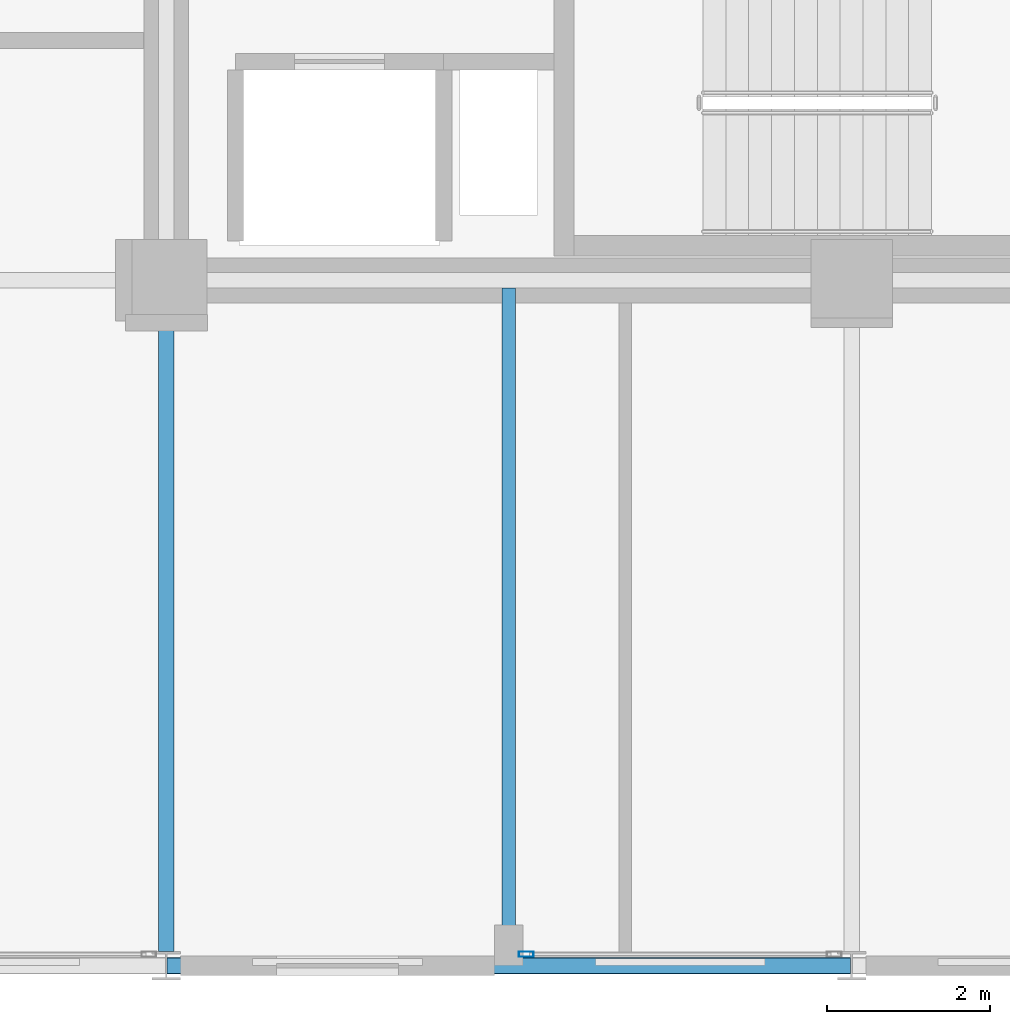
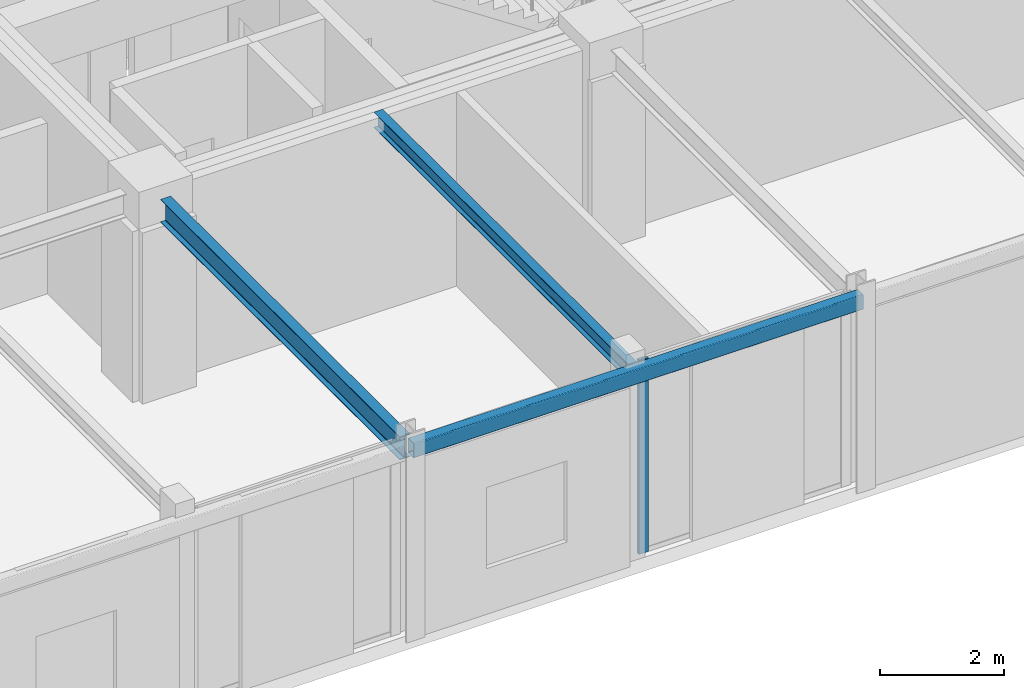
# One storey, part 7 of 29: 3 beams, 1 member, 1 element without a shape of its own.
"""IFC4 building model written with IfcOpenShell, lengths in metres."""

from ifc_helpers import new_model, si_unit, direction, frame, origin, origin_2d, place, context, subcontext, project, spatial, hollow_rectangle, i_section, extrude, material, layer, layer_set, material_profile, profile_set, type_object, element, aggregate, save


model = new_model("IFC4")

# Units and contexts
model_context = context("Model", 3, precision=1e-05, world=origin(), true_north=direction((0.0, 1.0)))
body_context = subcontext(model_context, "Body", "Model", "MODEL_VIEW")
ifc_project = project(units=[si_unit("LENGTHUNIT", "METRE"), si_unit("AREAUNIT", "SQUARE_METRE"), si_unit("VOLUMEUNIT", "CUBIC_METRE"), si_unit("PLANEANGLEUNIT", "RADIAN"), si_unit("MASSUNIT", "GRAM", prefix="KILO")], contexts=[model_context])

# Site, building, storey
site_placement = place(None, origin())
site = spatial("IfcSite", under=ifc_project, at=site_placement, CompositionType="ELEMENT")
building_placement = place(site_placement, origin())
building = spatial("IfcBuilding", under=site, at=building_placement, Name="Nerrivon Quay Data Exchange", CompositionType="ELEMENT")
storey_placement = place(building_placement, frame((0.0, 0.0, 196.0)))
storey = spatial("IfcBuildingStorey", under=building, at=storey_placement, Name="L46", CompositionType="ELEMENT", Elevation=196.0)

# Beams
ifc_material_1 = material(Name="Steel Grade 350", Category="steel")
ifc_material_profile_1 = material_profile(ifc_material_1, i_section(OverallWidth=0.18994140625, OverallDepth=0.4541015625, WebThickness=0.008544921875, FlangeThickness=0.0126953125, FilletRadius=0.011474609375, at=origin_2d()), Name="460UB67.1")
ifc_profile_set_1 = profile_set([ifc_material_profile_1], Name="Steel Grade 350")
beam_type_1 = type_object("IfcBeamType", Name="BM-G6-460UB67", PredefinedType="BEAM", material=ifc_profile_set_1)
beam_1_placement = place(storey_placement, frame((16.800048828125, 0.175048828125, 3.597900390625), z_axis=(0.0, 1.0, 0.0), x_axis=(-1.0, 0.0, 0.0)))
element("IfcBeam", 1, at=beam_1_placement, inside=storey, type_object=beam_type_1, Name="L46 NS Girder X=16.8 (0.0..8.4)", PredefinedType="BEAM", context=body_context, shape_type="SweptSolid", body=[
    extrude(i_section(OverallWidth=0.18994140625, OverallDepth=0.4541015625, WebThickness=0.008544921875, FlangeThickness=0.0126953125, FilletRadius=0.011474609375, at=origin_2d()), origin(), (0.0, 0.0, 1.0), 7.724853515625),
])
ifc_material_profile_2 = material_profile(ifc_material_1, i_section(OverallWidth=0.166015625, OverallDepth=0.306884765625, WebThickness=0.006591796875, FlangeThickness=0.01171875, FilletRadius=0.011474609375, at=origin_2d()), Name="310UB46.2")
ifc_profile_set_2 = profile_set([ifc_material_profile_2], Name="Steel Grade 350")
beam_type_2 = type_object("IfcBeamType", Name="BM-J5-310UB46", PredefinedType="JOIST", material=ifc_profile_set_2)
beam_2_placement = place(storey_placement, frame((21.0, 0.10009765625, 3.67138671875), z_axis=(0.0, 1.0, 0.0), x_axis=(-1.0, 0.0, 0.0)))
element("IfcBeam", 2, at=beam_2_placement, inside=storey, type_object=beam_type_2, Name="L46 Secondary Joist X=21.0 (0.0..8.4)", PredefinedType="JOIST", context=body_context, shape_type="SweptSolid", body=[
    extrude(i_section(OverallWidth=0.166015625, OverallDepth=0.306884765625, WebThickness=0.006591796875, FlangeThickness=0.01171875, FilletRadius=0.011474609375, at=origin_2d()), origin(), (0.0, 0.0, 1.0), 8.204345703125),
])
ifc_material_2 = material(Name="Steel Grade C350L0 (350 MPa)", Category="steel")
ifc_material_profile_3 = material_profile(ifc_material_2, hollow_rectangle(XDim=0.199951171875, YDim=0.300048828125, WallThickness=0.012451171875, InnerFilletRadius=0.018798828125, OuterFilletRadius=0.03125, at=origin_2d()), Name="300x200x12.5RHS")
ifc_profile_set_3 = profile_set([ifc_material_profile_3], Name="Steel Grade C350L0 (350 MPa)")
beam_type_3 = type_object("IfcBeamType", Name="BM-SP3-300x200RHS", PredefinedType="SPANDREL", material=ifc_profile_set_3)
beam_3_placement = place(storey_placement, frame((16.81005859375, 0.0, 3.675048828125), z_axis=(1.0, 0.0, 0.0), x_axis=(0.0, 1.0, 0.0)))
element("IfcBeam", 3, at=beam_3_placement, inside=storey, type_object=beam_type_3, Name="L46 EW Girder Y=0.0 (16.8..25.2)", PredefinedType="SPANDREL", context=body_context, shape_type="SweptSolid", body=[
    extrude(hollow_rectangle(XDim=0.199951171875, YDim=0.300048828125, WallThickness=0.012451171875, InnerFilletRadius=0.018798828125, OuterFilletRadius=0.03125, at=origin_2d()), origin(), (0.0, 0.0, 1.0), 8.3798828125),
])

# Curtain wall, member
ifc_material_3 = material(Name="Anodised aluminium 6063-T6", Category="aluminium")
ifc_layer = layer(ifc_material_3, 0.195068359375)
ifc_layer_set = layer_set([ifc_layer], Name="Anodised aluminium 6063-T6")
curtain_wall_type = type_object("IfcCurtainWallType", Name="CW-SYS-06", PredefinedType="NOTDEFINED", material=ifc_layer_set)
curtain_wall_placement = place(storey_placement, origin())
curtain_wall = element("IfcCurtainWall", 4, at=curtain_wall_placement, inside=storey, type_object=curtain_wall_type, Name="L46 Unitised Curtain Wall 24", PredefinedType="NOTDEFINED")
ifc_material_profile_4 = material_profile(ifc_material_3, hollow_rectangle(XDim=0.06494140625, YDim=0.179931640625, WallThickness=0.00341796875, at=origin_2d()), Name="ALU-MULL-180x65")
ifc_profile_set_4 = profile_set([ifc_material_profile_4], Name="Anodised aluminium 6063-T6")
member_type = type_object("IfcMemberType", Name="CWM-180x65", PredefinedType="MULLION", material=ifc_profile_set_4)
member_placement = place(storey_placement, frame((21.21240234375, 0.139892578125, 0.0), z_axis=(0.0, 0.0, 1.0), x_axis=(0.0, -1.0, 0.0)))
member = element("IfcMember", 5, at=member_placement, type_object=member_type, Name="CW06 mullion 2", PredefinedType="MULLION", context=body_context, shape_type="SweptSolid", body=[
    extrude(hollow_rectangle(XDim=0.06494140625, YDim=0.179931640625, WallThickness=0.00341796875, at=origin_2d()), origin(), (0.0, 0.0, 1.0), 3.824951171875),
])
aggregate(curtain_wall, [member])

save(model, "model.ifc")
